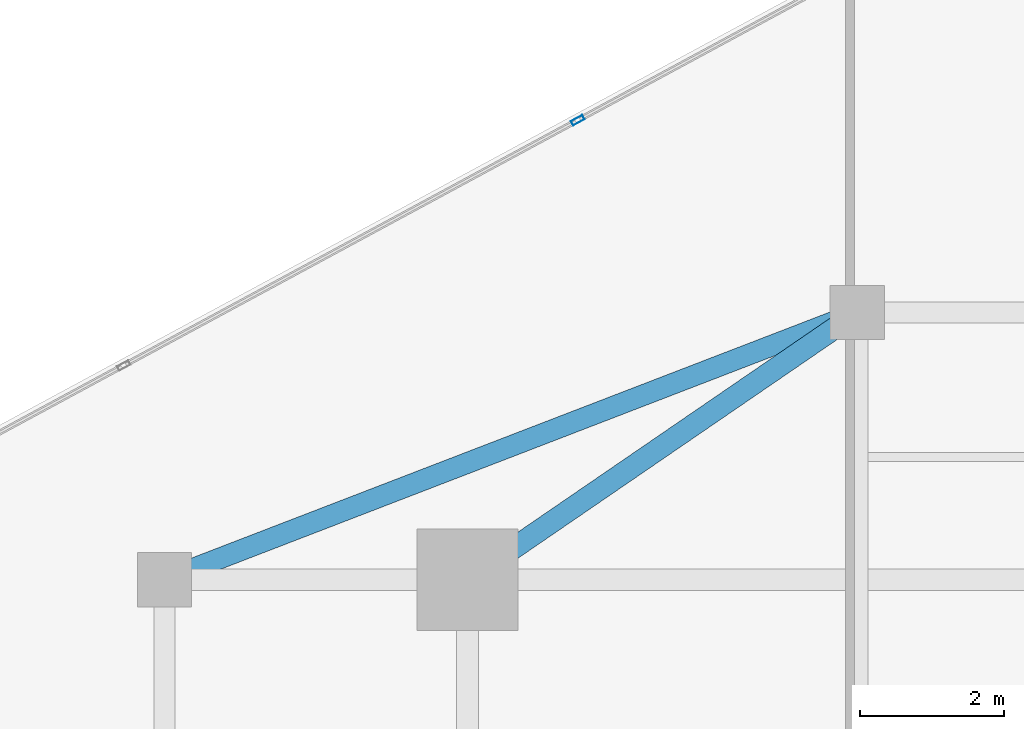
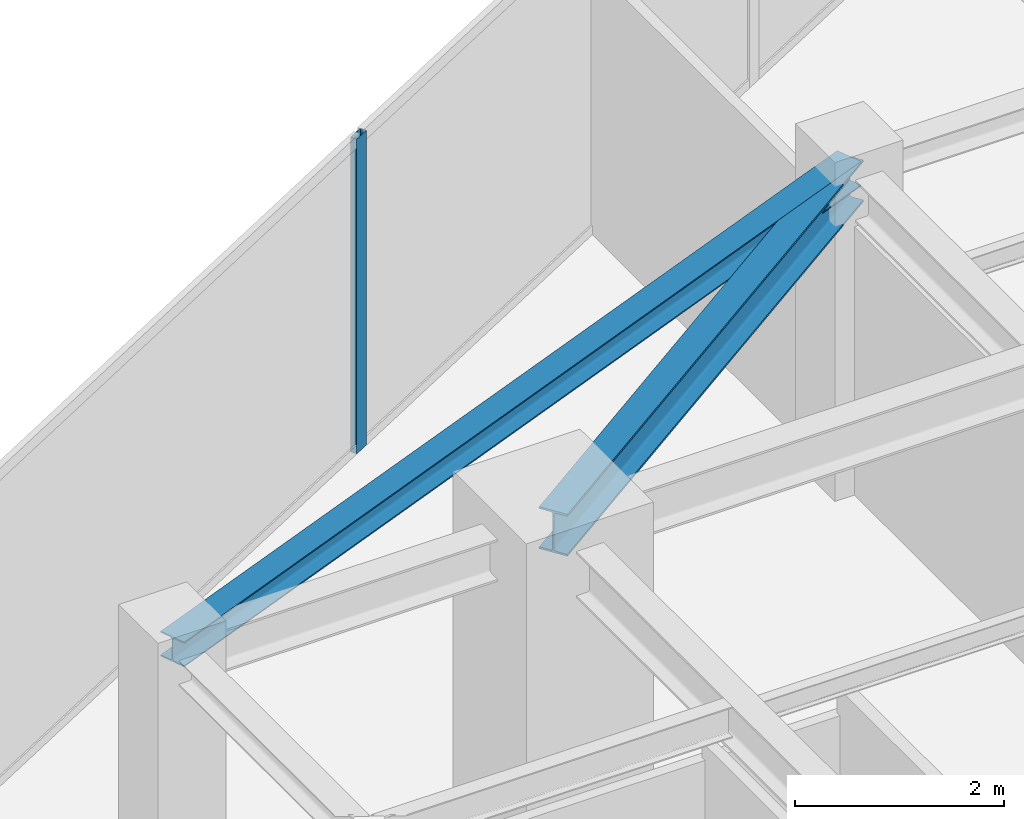
# One storey, part 14 of 22: 2 beams, 1 member, 1 element without a shape of its own.
"""IFC4 building model written with IfcOpenShell, lengths in metres."""

from ifc_helpers import new_model, si_unit, direction, frame, origin, origin_2d, place, context, subcontext, project, spatial, hollow_rectangle, i_section, extrude, source, transform, mapped, material, material_profile, profile_set, type_object, type_shapes, element, aggregate, save


model = new_model("IFC4")

# Units and contexts
model_context = context("Model", 3, precision=1e-05, world=origin(), true_north=direction((0.0, 1.0)))
body_context = subcontext(model_context, "Body", "Model", "MODEL_VIEW")
ifc_project = project(units=[si_unit("LENGTHUNIT", "METRE"), si_unit("AREAUNIT", "SQUARE_METRE"), si_unit("VOLUMEUNIT", "CUBIC_METRE"), si_unit("PLANEANGLEUNIT", "RADIAN"), si_unit("MASSUNIT", "GRAM", prefix="KILO")], contexts=[model_context])

# Site, building, storey
site_placement = place(None, origin())
site = spatial("IfcSite", under=ifc_project, at=site_placement, CompositionType="ELEMENT")
building_placement = place(site_placement, origin())
building = spatial("IfcBuilding", under=site, at=building_placement, Name="Krantzveldt Concourse Tower", CompositionType="ELEMENT")
storey_placement = place(building_placement, frame((0.0, 0.0, 306.89990234375)))
storey = spatial("IfcBuildingStorey", under=building, at=storey_placement, Name="L75", CompositionType="ELEMENT", Elevation=306.89990234375)

# Beams
ifc_material_1 = material(Name="Steel S355JR", Category="steel")
ifc_material_profile_1 = material_profile(ifc_material_1, i_section(OverallWidth=0.300048828125, OverallDepth=0.489990234375, WebThickness=0.011962890625, FlangeThickness=0.02294921875, FilletRadius=0.027099609375, at=origin_2d()), Name="Steel S355JR", Category="steel")
ifc_profile_set_1 = profile_set([ifc_material_profile_1], Name="Steel S355JR - HEA 500")
beam_type_1 = type_object("IfcBeamType", Name="BM-B-HEA500", PredefinedType="BEAM", material=ifc_profile_set_1)
shared_shape_1 = source(origin(), body_context, "Body", "SweptSolid", [
    extrude(i_section(OverallWidth=0.300048828125, OverallDepth=0.489990234375, WebThickness=0.011962890625, FlangeThickness=0.02294921875, FilletRadius=0.027099609375, at=origin_2d()), origin(), (0.0, 0.0, 1.0), 6.546142578125),
])
type_shapes(beam_type_1, [shared_shape_1])
beam_1_placement = place(storey_placement, frame((25.199951171875, 37.5, 3.425048828125), z_axis=(0.824942999484, 0.565215930068, 0.0), x_axis=(-0.565215930068, 0.824942999484, 0.0)))
element("IfcBeam", 1, at=beam_1_placement, inside=storey, type_object=beam_type_1, Name="L75 Tower Girder BR-RL4", PredefinedType="BEAM", context=body_context, shape_type="MappedRepresentation", body=[
    mapped(shared_shape_1, transform((0.0, 0.0, 0.0), x_axis=(1.0, 0.0, 0.0), y_axis=(0.0, 1.0, 0.0), z_axis=(0.0, 0.0, 1.0), scale=1.0)),
])
ifc_material_profile_2 = material_profile(ifc_material_1, i_section(OverallWidth=0.2900390625, OverallDepth=0.2900390625, WebThickness=0.008544921875, FlangeThickness=0.013916015625, FilletRadius=0.027099609375, at=origin_2d()), Name="Steel S355JR", Category="steel")
ifc_profile_set_2 = profile_set([ifc_material_profile_2], Name="Steel S355JR - HEA 300")
beam_type_2 = type_object("IfcBeamType", Name="BM-SP-HEA300", PredefinedType="SPANDREL", material=ifc_profile_set_2)
shared_shape_2 = source(origin(), body_context, "Body", "SweptSolid", [
    extrude(i_section(OverallWidth=0.2900390625, OverallDepth=0.2900390625, WebThickness=0.008544921875, FlangeThickness=0.013916015625, FilletRadius=0.027099609375, at=origin_2d()), origin(), (0.0, 0.0, 1.0), 10.288330078125),
])
type_shapes(beam_type_2, [shared_shape_2])
beam_2_placement = place(storey_placement, frame((21.0, 37.5, 3.525146484375), z_axis=(0.933097690408, 0.359622997257, 0.0), x_axis=(-0.359622997257, 0.933097690408, 0.0)))
element("IfcBeam", 2, at=beam_2_placement, inside=storey, type_object=beam_type_2, Name="L75 Tower Girder SP-R03", PredefinedType="SPANDREL", context=body_context, shape_type="MappedRepresentation", body=[
    mapped(shared_shape_2, transform((0.0, 0.0, 0.0), x_axis=(1.0, 0.0, 0.0), y_axis=(0.0, 1.0, 0.0), z_axis=(0.0, 0.0, 1.0), scale=1.0)),
])

# Curtain wall, member
ifc_material_2 = material(Name="Anodised aluminium 6063-T6", Category="aluminium")
curtain_wall_type = type_object("IfcCurtainWallType", Name="CW4", PredefinedType="USERDEFINED", material=ifc_material_2)
curtain_wall_placement = place(storey_placement, origin())
curtain_wall = element("IfcCurtainWall", 3, at=curtain_wall_placement, inside=storey, type_object=curtain_wall_type, Name="CW-L75-F01", ObjectType="UNITISED CURTAIN WALL", PredefinedType="USERDEFINED")
ifc_material_profile_3 = material_profile(ifc_material_2, hollow_rectangle(XDim=0.070068359375, YDim=0.179931640625, WallThickness=0.0048828125, at=origin_2d()), Name="Anodised aluminium 6063-T6", Category="aluminium")
ifc_profile_set_3 = profile_set([ifc_material_profile_3], Name="Anodised aluminium 6063-T6 - ALU-MULL 180x70x5")
member_type = type_object("IfcMemberType", Name="CW-MUL-180", PredefinedType="MULLION", material=ifc_profile_set_3)
shared_shape_3 = source(origin(), body_context, "Body", "SweptSolid", [
    extrude(hollow_rectangle(XDim=0.070068359375, YDim=0.179931640625, WallThickness=0.0048828125, at=origin_2d()), origin(), (0.0, 0.0, 1.0), 3.670166015625),
])
type_shapes(member_type, [shared_shape_3])
member_placement = place(storey_placement, frame((26.72802734375, 43.865966796875, 0.0), z_axis=(0.0, 0.0, 1.0), x_axis=(0.475240271736, -0.87985605875, 0.0)))
member = element("IfcMember", 4, at=member_placement, type_object=member_type, Name="CW-Z56 mullion 3", PredefinedType="MULLION", context=body_context, shape_type="MappedRepresentation", body=[
    mapped(shared_shape_3, transform((0.0, 0.0, 0.0), x_axis=(1.0, 0.0, 0.0), y_axis=(0.0, 1.0, 0.0), z_axis=(0.0, 0.0, 1.0), scale=1.0)),
])
aggregate(curtain_wall, [member])

save(model, "model.ifc")
